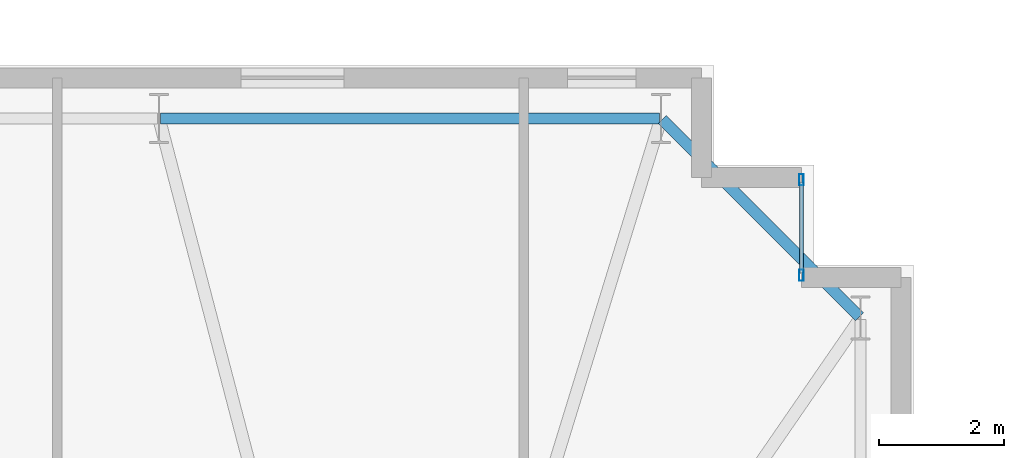
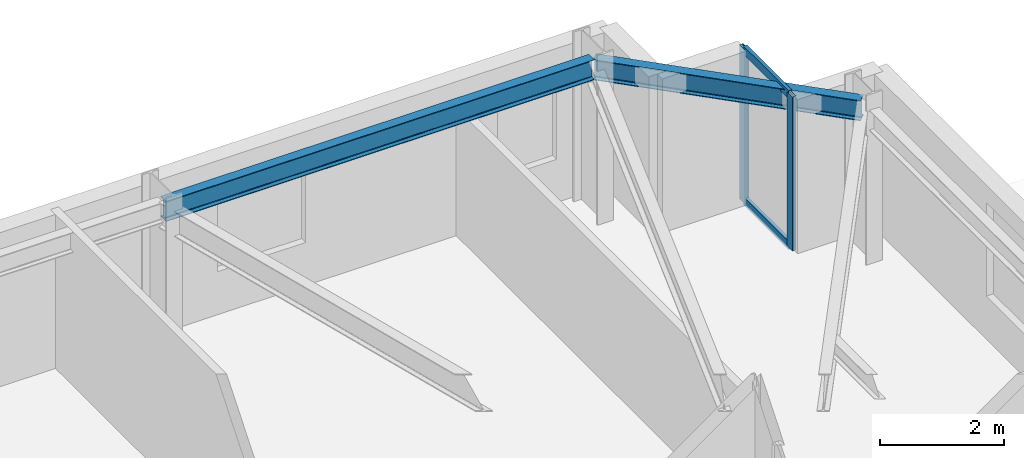
# One storey, part 9 of 17: 4 members, 2 beams, 1 element without a shape of its own.
"""IFC4 building model written with IfcOpenShell, lengths in metres."""

from ifc_helpers import new_model, si_unit, direction, frame, origin, origin_2d, place, context, subcontext, project, spatial, hollow_rectangle, i_section, extrude, material, layer, layer_set, material_profile, profile_set, type_object, element, aggregate, save


model = new_model("IFC4")

# Units and contexts
model_context = context("Model", 3, precision=1e-05, world=origin(), true_north=direction((0.0, 1.0)))
body_context = subcontext(model_context, "Body", "Model", "MODEL_VIEW")
ifc_project = project(units=[si_unit("LENGTHUNIT", "METRE"), si_unit("AREAUNIT", "SQUARE_METRE"), si_unit("VOLUMEUNIT", "CUBIC_METRE"), si_unit("PLANEANGLEUNIT", "RADIAN"), si_unit("MASSUNIT", "GRAM", prefix="KILO")], contexts=[model_context])

# Site, building, storey
site_placement = place(None, origin())
site = spatial("IfcSite", under=ifc_project, at=site_placement, CompositionType="ELEMENT")
building_placement = place(site_placement, origin())
building = spatial("IfcBuilding", under=site, at=building_placement, Name="Qobustan Lattice House", CompositionType="ELEMENT")
storey_placement = place(building_placement, frame((0.0, 0.0, 157.800048828125)))
storey = spatial("IfcBuildingStorey", under=building, at=storey_placement, Name="L44", CompositionType="ELEMENT", Elevation=157.800048828125)

# Beams
ifc_material_1 = material(Name="Steel S355", Category="steel")
ifc_material_profile_1 = material_profile(ifc_material_1, i_section(OverallWidth=0.179931640625, OverallDepth=0.39990234375, WebThickness=0.008544921875, FlangeThickness=0.013427734375, FilletRadius=0.02099609375, at=origin_2d()), Name="IPE400")
ifc_profile_set_1 = profile_set([ifc_material_profile_1], Name="Steel S355")
beam_type = type_object("IfcBeamType", Name="BM-SPD-IPE400", PredefinedType="SPANDREL", material=ifc_profile_set_1)
beam_1_placement = place(storey_placement, frame((26.332275390625, 16.567626953125, 2.83984375), z_axis=(-0.707079505568, 0.707134055753, 0.0), x_axis=(-0.707134055753, -0.707079505568, 0.0)))
element("IfcBeam", 1, at=beam_1_placement, inside=storey, type_object=beam_type, Name="L44 perimeter spandrel E4-N1", PredefinedType="SPANDREL", context=body_context, shape_type="SweptSolid", body=[
    extrude(i_section(OverallWidth=0.179931640625, OverallDepth=0.39990234375, WebThickness=0.008544921875, FlangeThickness=0.013427734375, FilletRadius=0.02099609375, at=origin_2d()), origin(), (0.0, 0.0, 1.0), 4.4755859375),
])
beam_2_placement = place(storey_placement, frame((23.125, 19.75, 2.83984375), z_axis=(-1.0, 0.0, 0.0), x_axis=(0.0, -1.0, 0.0)))
element("IfcBeam", 2, at=beam_2_placement, inside=storey, type_object=beam_type, Name="L44 perimeter spandrel N1-N2", PredefinedType="SPANDREL", context=body_context, shape_type="SweptSolid", body=[
    extrude(i_section(OverallWidth=0.179931640625, OverallDepth=0.39990234375, WebThickness=0.008544921875, FlangeThickness=0.013427734375, FilletRadius=0.02099609375, at=origin_2d()), origin(), (0.0, 0.0, 1.0), 8.0),
])

# Curtain wall, members
ifc_material_2 = material(Name="Anodised aluminium and low-E glazing", Category="aluminium")
ifc_layer = layer(ifc_material_2, 0.219970703125)
ifc_layer_set = layer_set([ifc_layer], Name="Anodised aluminium and low-E glazing")
curtain_wall_type = type_object("IfcCurtainWallType", Name="CW-FAC-02", PredefinedType="USERDEFINED", material=ifc_layer_set)
curtain_wall_placement = place(storey_placement, origin())
curtain_wall = element("IfcCurtainWall", 3, at=curtain_wall_placement, inside=storey, type_object=curtain_wall_type, Name="L44 serrated corner faceted glazing 13", ObjectType="CURTAIN WALL", PredefinedType="USERDEFINED")
ifc_material_3 = material(Name="Anodised aluminium EN AW-6063 T6", Category="aluminium")
ifc_material_profile_2 = material_profile(ifc_material_3, hollow_rectangle(XDim=0.070068359375, YDim=0.179931640625, WallThickness=0.00439453125, at=origin_2d()), Name="CWM-180x70")
ifc_profile_set_2 = profile_set([ifc_material_profile_2], Name="Anodised aluminium EN AW-6063 T6")
member_type_1 = type_object("IfcMemberType", Name="CWM-STD-180", PredefinedType="MULLION", material=ifc_profile_set_2)
member_1_placement = place(storey_placement, frame((25.39990234375, 18.764892578125, 0.0), z_axis=(0.0, 0.0, 1.0), x_axis=(1.0, 0.0, 0.0)))
member_1 = element("IfcMember", 4, at=member_1_placement, type_object=member_type_1, Name="CW-F2 mullion 1", PredefinedType="MULLION", context=body_context, shape_type="SweptSolid", body=[
    extrude(hollow_rectangle(XDim=0.070068359375, YDim=0.179931640625, WallThickness=0.00439453125, at=origin_2d()), origin(), (0.0, 0.0, 1.0), 3.0400390625),
])
member_2_placement = place(storey_placement, frame((25.39990234375, 17.235107421875, 0.0), z_axis=(0.0, 0.0, 1.0), x_axis=(1.0, 0.0, 0.0)))
member_2 = element("IfcMember", 5, at=member_2_placement, type_object=member_type_1, Name="CW-F2 mullion 2", PredefinedType="MULLION", context=body_context, shape_type="SweptSolid", body=[
    extrude(hollow_rectangle(XDim=0.070068359375, YDim=0.179931640625, WallThickness=0.00439453125, at=origin_2d()), origin(), (0.0, 0.0, 1.0), 3.0400390625),
])
ifc_material_4 = material(Name="Anodised aluminium EN AW-6063 T6", Category="aluminium")
ifc_material_profile_3 = material_profile(ifc_material_4, hollow_rectangle(XDim=0.06494140625, YDim=0.159912109375, WallThickness=0.00390625, at=origin_2d()), Name="CWT-160x65")
ifc_profile_set_3 = profile_set([ifc_material_profile_3], Name="Anodised aluminium EN AW-6063 T6")
member_type_2 = type_object("IfcMemberType", Name="CWT-HOR-160", PredefinedType="USERDEFINED", material=ifc_profile_set_3)
member_3_placement = place(storey_placement, frame((25.39990234375, 18.72998046875, 0.032470703125), z_axis=(0.0, -1.0, 0.0), x_axis=(1.0, 0.0, 0.0)))
member_3 = element("IfcMember", 6, at=member_3_placement, type_object=member_type_2, Name="CW-F2 transom 1.1", ObjectType="TRANSOM", PredefinedType="USERDEFINED", context=body_context, shape_type="SweptSolid", body=[
    extrude(hollow_rectangle(XDim=0.06494140625, YDim=0.159912109375, WallThickness=0.00390625, at=origin_2d()), origin(), (0.0, 0.0, 1.0), 1.4599609375),
])
member_4_placement = place(storey_placement, frame((25.39990234375, 18.72998046875, 3.007568359375), z_axis=(0.0, -1.0, 0.0), x_axis=(1.0, 0.0, 0.0)))
member_4 = element("IfcMember", 7, at=member_4_placement, type_object=member_type_2, Name="CW-F2 transom 1.2", ObjectType="TRANSOM", PredefinedType="USERDEFINED", context=body_context, shape_type="SweptSolid", body=[
    extrude(hollow_rectangle(XDim=0.06494140625, YDim=0.159912109375, WallThickness=0.00390625, at=origin_2d()), origin(), (0.0, 0.0, 1.0), 1.4599609375),
])
aggregate(curtain_wall, [member_1, member_2, member_3, member_4])

save(model, "model.ifc")
